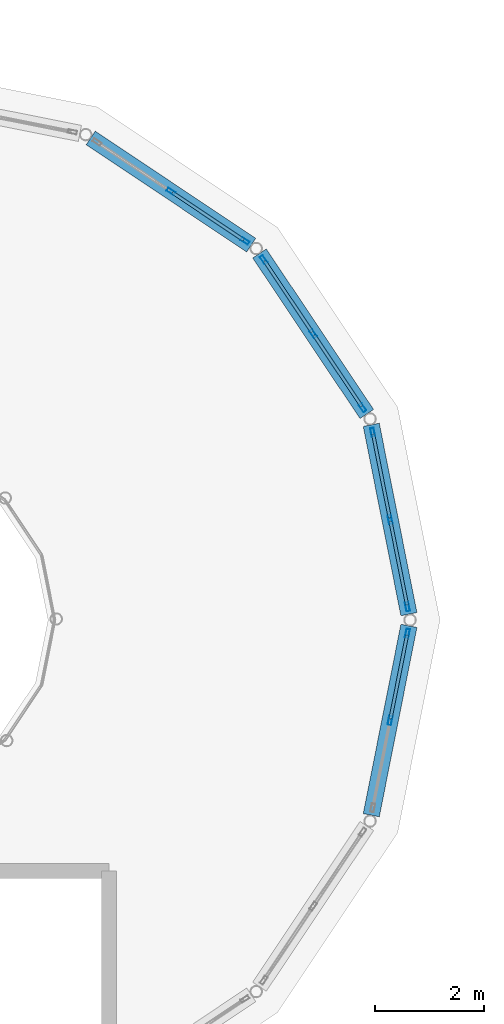
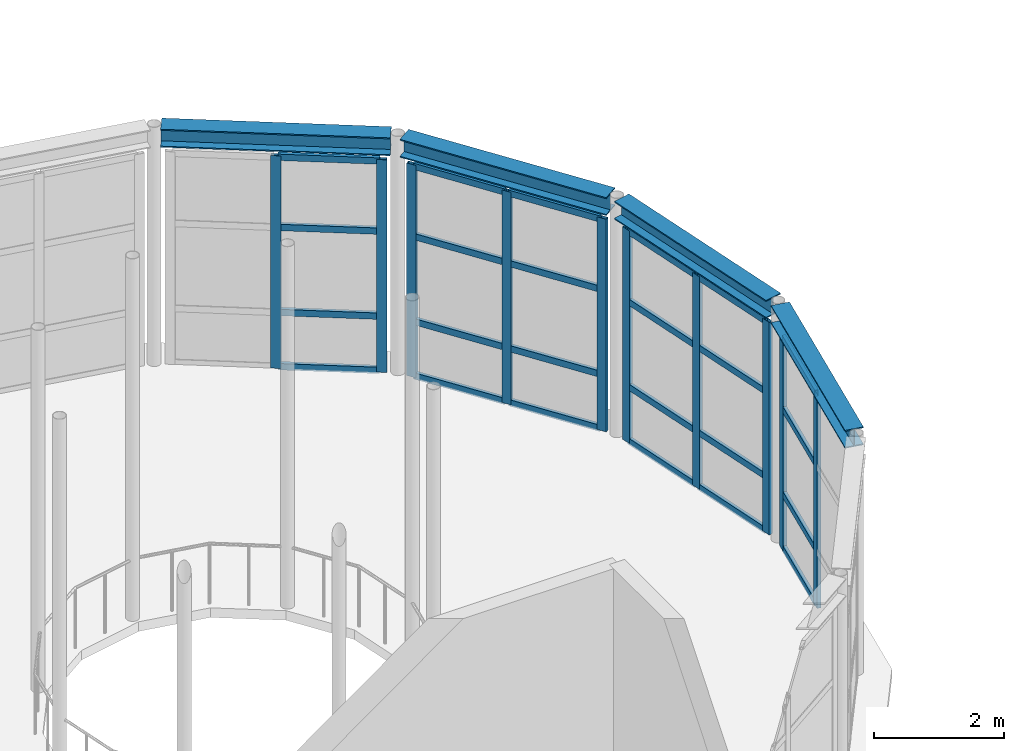
# One storey, part 41 of 80: 34 members, 4 beams, 4 elements without a shape of their own.
"""IFC4 building model written with IfcOpenShell, lengths in metres."""

from ifc_helpers import new_model, si_unit, direction, frame, origin, origin_2d, place, context, subcontext, project, spatial, hollow_rectangle, i_section, extrude, material, layer, layer_set, material_profile, profile_set, type_object, element, aggregate, save


model = new_model("IFC4")

# Units and contexts
model_context = context("Model", 3, precision=1e-05, world=origin(), true_north=direction((0.0, 1.0)))
body_context = subcontext(model_context, "Body", "Model", "MODEL_VIEW")
ifc_project = project(units=[si_unit("LENGTHUNIT", "METRE"), si_unit("AREAUNIT", "SQUARE_METRE"), si_unit("VOLUMEUNIT", "CUBIC_METRE"), si_unit("PLANEANGLEUNIT", "RADIAN"), si_unit("MASSUNIT", "GRAM", prefix="KILO")], contexts=[model_context])

# Site, building, storey
site_placement = place(None, origin())
site = spatial("IfcSite", under=ifc_project, at=site_placement, CompositionType="ELEMENT")
building_placement = place(site_placement, origin())
building = spatial("IfcBuilding", under=site, at=building_placement, Name="Kharisveld Research Institute", CompositionType="ELEMENT")
storey_placement = place(building_placement, frame((0.0, 0.0, 5.10009765625)))
storey = spatial("IfcBuildingStorey", under=building, at=storey_placement, Name="L01", CompositionType="ELEMENT", Elevation=5.10009765625)

# Beams
ifc_material_1 = material(Name="Steel S355JR", Category="steel")
ifc_material_profile_1 = material_profile(ifc_material_1, i_section(OverallWidth=0.300048828125, OverallDepth=0.340087890625, WebThickness=0.011962890625, FlangeThickness=0.021484375, at=origin_2d()))
ifc_profile_set_1 = profile_set([ifc_material_profile_1], Name="Steel S355JR")
beam_type = type_object("IfcBeamType", Name="BM_ST_HEA300", PredefinedType="BEAM", material=ifc_profile_set_1)
for number, where, z_axis, x_axis, name in (
    (1, (69.128662109375, 50.907470703125, 4.329833984375), (-0.195109819798, 0.980781401852, 0.0), (-0.980781401852, -0.195109819798, 0.0), "BM:V6:L01:RING00"),
    (2, (68.3544921875, 54.583984375, 4.329833984375), (-0.555541987483, 0.831488484673, 0.0), (-0.831488484673, -0.555541987483, 0.0), "BM:V6:L01:RING01"),
    (3, (66.232421875, 57.684326171875, 4.329833984375), (-0.831456681365, 0.555589585047, 0.0), (-0.555589585047, -0.831456681365, 0.0), "BM:V6:L01:RING02"),
    (4, (68.436767578125, 47.214599609375, 4.329833984375), (0.195109819798, 0.980781401852, 0.0), (-0.980781401852, 0.195109819798, 0.0), "BM:V6:L01:RING15"),
):
    element("IfcBeam", number, at=place(storey_placement, frame(where, z_axis=z_axis, x_axis=x_axis)), inside=storey, type_object=beam_type, Name=name, PredefinedType="BEAM", context=body_context, shape_type="SweptSolid", body=[
        extrude(i_section(OverallWidth=0.300048828125, OverallDepth=0.340087890625, WebThickness=0.011962890625, FlangeThickness=0.021484375, at=origin_2d()), origin(), (0.0, 0.0, 1.0), 3.546142578125),
    ])

# Curtain wall, members
ifc_material_2 = material(Name="Thermally Broken Aluminium Curtain Wall", Category="aluminium")
ifc_layer_1 = layer(ifc_material_2, 0.159912109375)
ifc_layer_set_1 = layer_set([ifc_layer_1], Name="CW_SYS_01")
curtain_wall_type_1 = type_object("IfcCurtainWallType", Name="CW_SYS_01", PredefinedType="NOTDEFINED", material=ifc_layer_set_1)
curtain_wall_1_placement = place(storey_placement, origin())
curtain_wall_1 = element("IfcCurtainWall", 5, at=curtain_wall_1_placement, inside=storey, type_object=curtain_wall_type_1, Name="CW:V6:L01:CHORD00", PredefinedType="NOTDEFINED")
ifc_material_3 = material(Name="Anodised Aluminium AW-6063-T6", Category="aluminium")
ifc_material_profile_2 = material_profile(ifc_material_3, hollow_rectangle(XDim=0.06494140625, YDim=0.159912109375, WallThickness=0.00390625, at=origin_2d()))
ifc_profile_set_2 = profile_set([ifc_material_profile_2], Name="Anodised Aluminium AW-6063-T6")
member_type_1 = type_object("IfcMemberType", Name="CW_MUL_160", PredefinedType="MULLION", material=ifc_profile_set_2)
member_1_placement = place(storey_placement, frame((68.463623046875, 54.250244140625, 0.0), z_axis=(0.0, 0.0, 1.0), x_axis=(0.980785199106, 0.195090730724, 0.0)))
member_1 = element("IfcMember", 6, at=member_1_placement, type_object=member_type_1, Name="CW-01 mullion 1", PredefinedType="MULLION", context=body_context, shape_type="SweptSolid", body=[
    extrude(hollow_rectangle(XDim=0.06494140625, YDim=0.159912109375, WallThickness=0.00390625, at=origin_2d()), origin(), (0.0, 0.0, 1.0), 4.0),
])
member_2_placement = place(storey_placement, frame((68.78271484375, 52.646484375, 0.0), z_axis=(0.0, 0.0, 1.0), x_axis=(0.980785199106, 0.195090730724, 0.0)))
member_2 = element("IfcMember", 7, at=member_2_placement, type_object=member_type_1, Name="CW-01 mullion 2", PredefinedType="MULLION", context=body_context, shape_type="SweptSolid", body=[
    extrude(hollow_rectangle(XDim=0.06494140625, YDim=0.159912109375, WallThickness=0.00390625, at=origin_2d()), origin(), (0.0, 0.0, 1.0), 4.0),
])
member_3_placement = place(storey_placement, frame((69.101806640625, 51.042724609375, 0.0), z_axis=(0.0, 0.0, 1.0), x_axis=(0.980785199106, 0.195090730724, 0.0)))
member_3 = element("IfcMember", 8, at=member_3_placement, type_object=member_type_1, Name="CW-01 mullion 3", PredefinedType="MULLION", context=body_context, shape_type="SweptSolid", body=[
    extrude(hollow_rectangle(XDim=0.06494140625, YDim=0.159912109375, WallThickness=0.00390625, at=origin_2d()), origin(), (0.0, 0.0, 1.0), 4.0),
])

ifc_material_4 = material(Name="Thermally Broken Aluminium Curtain Wall", Category="aluminium")
ifc_layer_2 = layer(ifc_material_4, 0.159912109375)
ifc_layer_set_2 = layer_set([ifc_layer_2], Name="CW_SYS_02")
curtain_wall_type_2 = type_object("IfcCurtainWallType", Name="CW_SYS_02", PredefinedType="NOTDEFINED", material=ifc_layer_set_2)
curtain_wall_2_placement = place(storey_placement, origin())
curtain_wall_2 = element("IfcCurtainWall", 9, at=curtain_wall_2_placement, inside=storey, type_object=curtain_wall_type_2, Name="CW:V6:L01:CHORD01", PredefinedType="NOTDEFINED")
member_4_placement = place(storey_placement, frame((66.461181640625, 57.417724609375, 0.0), z_axis=(0.0, 0.0, 1.0), x_axis=(0.831469694616, 0.555570109828, 0.0)))
member_4 = element("IfcMember", 10, at=member_4_placement, type_object=member_type_1, Name="CW-02 mullion 1", PredefinedType="MULLION", context=body_context, shape_type="SweptSolid", body=[
    extrude(hollow_rectangle(XDim=0.06494140625, YDim=0.159912109375, WallThickness=0.00390625, at=origin_2d()), origin(), (0.0, 0.0, 1.0), 4.0),
])
member_5_placement = place(storey_placement, frame((67.36962890625, 56.058349609375, 0.0), z_axis=(0.0, 0.0, 1.0), x_axis=(0.831469694616, 0.555570109828, 0.0)))
member_5 = element("IfcMember", 11, at=member_5_placement, type_object=member_type_1, Name="CW-02 mullion 2", PredefinedType="MULLION", context=body_context, shape_type="SweptSolid", body=[
    extrude(hollow_rectangle(XDim=0.06494140625, YDim=0.159912109375, WallThickness=0.00390625, at=origin_2d()), origin(), (0.0, 0.0, 1.0), 4.0),
])
member_6_placement = place(storey_placement, frame((68.27783203125, 54.69873046875, 0.0), z_axis=(0.0, 0.0, 1.0), x_axis=(0.831469694616, 0.555570109828, 0.0)))
member_6 = element("IfcMember", 12, at=member_6_placement, type_object=member_type_1, Name="CW-02 mullion 3", PredefinedType="MULLION", context=body_context, shape_type="SweptSolid", body=[
    extrude(hollow_rectangle(XDim=0.06494140625, YDim=0.159912109375, WallThickness=0.00390625, at=origin_2d()), origin(), (0.0, 0.0, 1.0), 4.0),
])

ifc_material_5 = material(Name="Thermally Broken Aluminium Curtain Wall", Category="aluminium")
ifc_layer_3 = layer(ifc_material_5, 0.159912109375)
ifc_layer_set_3 = layer_set([ifc_layer_3], Name="CW_SYS_03")
curtain_wall_type_3 = type_object("IfcCurtainWallType", Name="CW_SYS_03", PredefinedType="NOTDEFINED", material=ifc_layer_set_3)
curtain_wall_3_placement = place(storey_placement, origin())
curtain_wall_3 = element("IfcCurtainWall", 13, at=curtain_wall_3_placement, inside=storey, type_object=curtain_wall_type_3, Name="CW:V6:L01:CHORD02", PredefinedType="NOTDEFINED")
member_7_placement = place(storey_placement, frame((64.75830078125, 58.66943359375, 0.0), z_axis=(0.0, 0.0, 1.0), x_axis=(0.555570109828, 0.831469694616, 0.0)))
member_7 = element("IfcMember", 14, at=member_7_placement, type_object=member_type_1, Name="CW-03 mullion 2", PredefinedType="MULLION", context=body_context, shape_type="SweptSolid", body=[
    extrude(hollow_rectangle(XDim=0.06494140625, YDim=0.159912109375, WallThickness=0.00390625, at=origin_2d()), origin(), (0.0, 0.0, 1.0), 4.0),
])
member_8_placement = place(storey_placement, frame((66.11767578125, 57.760986328125, 0.0), z_axis=(0.0, 0.0, 1.0), x_axis=(0.555570109828, 0.831469694616, 0.0)))
member_8 = element("IfcMember", 15, at=member_8_placement, type_object=member_type_1, Name="CW-03 mullion 3", PredefinedType="MULLION", context=body_context, shape_type="SweptSolid", body=[
    extrude(hollow_rectangle(XDim=0.06494140625, YDim=0.159912109375, WallThickness=0.00390625, at=origin_2d()), origin(), (0.0, 0.0, 1.0), 4.0),
])

ifc_material_6 = material(Name="Thermally Broken Aluminium Curtain Wall", Category="aluminium")
ifc_layer_4 = layer(ifc_material_6, 0.159912109375)
ifc_layer_set_4 = layer_set([ifc_layer_4], Name="CW_SYS_04")
curtain_wall_type_4 = type_object("IfcCurtainWallType", Name="CW_SYS_04", PredefinedType="NOTDEFINED", material=ifc_layer_set_4)
curtain_wall_4_placement = place(storey_placement, origin())
curtain_wall_4 = element("IfcCurtainWall", 16, at=curtain_wall_4_placement, inside=storey, type_object=curtain_wall_type_4, Name="CW:V6:L01:CHORD15", PredefinedType="NOTDEFINED")
member_9_placement = place(storey_placement, frame((69.101806640625, 50.557373046875, 0.0), z_axis=(0.0, 0.0, 1.0), x_axis=(0.980785199106, -0.195090730724, 0.0)))
member_9 = element("IfcMember", 17, at=member_9_placement, type_object=member_type_1, Name="CW-04 mullion 1", PredefinedType="MULLION", context=body_context, shape_type="SweptSolid", body=[
    extrude(hollow_rectangle(XDim=0.06494140625, YDim=0.159912109375, WallThickness=0.00390625, at=origin_2d()), origin(), (0.0, 0.0, 1.0), 4.0),
])
member_10_placement = place(storey_placement, frame((68.78271484375, 48.95361328125, 0.0), z_axis=(0.0, 0.0, 1.0), x_axis=(0.980785199106, -0.195090730724, 0.0)))
member_10 = element("IfcMember", 18, at=member_10_placement, type_object=member_type_1, Name="CW-04 mullion 2", PredefinedType="MULLION", context=body_context, shape_type="SweptSolid", body=[
    extrude(hollow_rectangle(XDim=0.06494140625, YDim=0.159912109375, WallThickness=0.00390625, at=origin_2d()), origin(), (0.0, 0.0, 1.0), 4.0),
])

# Member
ifc_material_7 = material(Name="Anodised Aluminium AW-6063-T6", Category="aluminium")
ifc_material_profile_3 = material_profile(ifc_material_7, hollow_rectangle(XDim=0.06005859375, YDim=0.1201171875, WallThickness=0.00390625, at=origin_2d()))
ifc_profile_set_3 = profile_set([ifc_material_profile_3], Name="Anodised Aluminium AW-6063-T6")
member_type_2 = type_object("IfcMemberType", Name="CW_TRN_120", PredefinedType="USERDEFINED", material=ifc_profile_set_3)
member_11_placement = place(storey_placement, frame((68.469970703125, 54.21826171875, 0.02978515625), z_axis=(0.195129326111, -0.9807775212, 0.0), x_axis=(0.9807775212, 0.195129326111, 0.0)))
member_11 = element("IfcMember", 19, at=member_11_placement, type_object=member_type_2, Name="CW-01 transom 1.1", ObjectType="TRANSOM", PredefinedType="USERDEFINED", context=body_context, shape_type="SweptSolid", body=[
    extrude(hollow_rectangle(XDim=0.06005859375, YDim=0.1201171875, WallThickness=0.00390625, at=origin_2d()), origin(), (0.0, 0.0, 1.0), 1.5703125),
])

member_12_placement = place(storey_placement, frame((68.469970703125, 54.21826171875, 1.0498046875), z_axis=(0.195129326111, -0.9807775212, 0.0), x_axis=(0.9807775212, 0.195129326111, 0.0)))
member_12 = element("IfcMember", 20, at=member_12_placement, type_object=member_type_2, Name="CW-01 transom 1.2", ObjectType="TRANSOM", PredefinedType="USERDEFINED", context=body_context, shape_type="SweptSolid", body=[
    extrude(hollow_rectangle(XDim=0.06005859375, YDim=0.1201171875, WallThickness=0.00390625, at=origin_2d()), origin(), (0.0, 0.0, 1.0), 1.5703125),
])

member_13_placement = place(storey_placement, frame((68.469970703125, 54.21826171875, 2.64990234375), z_axis=(0.195129326111, -0.9807775212, 0.0), x_axis=(0.9807775212, 0.195129326111, 0.0)))
member_13 = element("IfcMember", 21, at=member_13_placement, type_object=member_type_2, Name="CW-01 transom 1.3", ObjectType="TRANSOM", PredefinedType="USERDEFINED", context=body_context, shape_type="SweptSolid", body=[
    extrude(hollow_rectangle(XDim=0.06005859375, YDim=0.1201171875, WallThickness=0.00390625, at=origin_2d()), origin(), (0.0, 0.0, 1.0), 1.5703125),
])

member_14_placement = place(storey_placement, frame((68.469970703125, 54.21826171875, 3.969970703125), z_axis=(0.195129326111, -0.9807775212, 0.0), x_axis=(0.9807775212, 0.195129326111, 0.0)))
member_14 = element("IfcMember", 22, at=member_14_placement, type_object=member_type_2, Name="CW-01 transom 1.4", ObjectType="TRANSOM", PredefinedType="USERDEFINED", context=body_context, shape_type="SweptSolid", body=[
    extrude(hollow_rectangle(XDim=0.06005859375, YDim=0.1201171875, WallThickness=0.00390625, at=origin_2d()), origin(), (0.0, 0.0, 1.0), 1.5703125),
])

member_15_placement = place(storey_placement, frame((68.7890625, 52.614501953125, 0.02978515625), z_axis=(0.195159086375, -0.980771599816, 0.0), x_axis=(0.980771599816, 0.195159086375, 0.0)))
member_15 = element("IfcMember", 23, at=member_15_placement, type_object=member_type_2, Name="CW-01 transom 2.1", ObjectType="TRANSOM", PredefinedType="USERDEFINED", context=body_context, shape_type="SweptSolid", body=[
    extrude(hollow_rectangle(XDim=0.06005859375, YDim=0.1201171875, WallThickness=0.00390625, at=origin_2d()), origin(), (0.0, 0.0, 1.0), 1.570068359375),
])

member_16_placement = place(storey_placement, frame((68.7890625, 52.614501953125, 1.0498046875), z_axis=(0.195159086375, -0.980771599816, 0.0), x_axis=(0.980771599816, 0.195159086375, 0.0)))
member_16 = element("IfcMember", 24, at=member_16_placement, type_object=member_type_2, Name="CW-01 transom 2.2", ObjectType="TRANSOM", PredefinedType="USERDEFINED", context=body_context, shape_type="SweptSolid", body=[
    extrude(hollow_rectangle(XDim=0.06005859375, YDim=0.1201171875, WallThickness=0.00390625, at=origin_2d()), origin(), (0.0, 0.0, 1.0), 1.570068359375),
])

member_17_placement = place(storey_placement, frame((68.7890625, 52.614501953125, 2.64990234375), z_axis=(0.195159086375, -0.980771599816, 0.0), x_axis=(0.980771599816, 0.195159086375, 0.0)))
member_17 = element("IfcMember", 25, at=member_17_placement, type_object=member_type_2, Name="CW-01 transom 2.3", ObjectType="TRANSOM", PredefinedType="USERDEFINED", context=body_context, shape_type="SweptSolid", body=[
    extrude(hollow_rectangle(XDim=0.06005859375, YDim=0.1201171875, WallThickness=0.00390625, at=origin_2d()), origin(), (0.0, 0.0, 1.0), 1.570068359375),
])

member_18_placement = place(storey_placement, frame((68.7890625, 52.614501953125, 3.969970703125), z_axis=(0.195159086375, -0.980771599816, 0.0), x_axis=(0.980771599816, 0.195159086375, 0.0)))
member_18 = element("IfcMember", 26, at=member_18_placement, type_object=member_type_2, Name="CW-01 transom 2.4", ObjectType="TRANSOM", PredefinedType="USERDEFINED", context=body_context, shape_type="SweptSolid", body=[
    extrude(hollow_rectangle(XDim=0.06005859375, YDim=0.1201171875, WallThickness=0.00390625, at=origin_2d()), origin(), (0.0, 0.0, 1.0), 1.570068359375),
])

aggregate(curtain_wall_1, [member_1, member_2, member_3, member_11, member_12, member_13, member_14, member_15, member_16, member_17, member_18])

member_19_placement = place(storey_placement, frame((66.479248046875, 57.390869140625, 0.02978515625), z_axis=(0.555525156147, -0.831499729939, 0.0), x_axis=(0.831499729939, 0.555525156147, 0.0)))
member_19 = element("IfcMember", 27, at=member_19_placement, type_object=member_type_2, Name="CW-02 transom 1.1", ObjectType="TRANSOM", PredefinedType="USERDEFINED", context=body_context, shape_type="SweptSolid", body=[
    extrude(hollow_rectangle(XDim=0.06005859375, YDim=0.1201171875, WallThickness=0.00390625, at=origin_2d()), origin(), (0.0, 0.0, 1.0), 1.5703125),
])

member_20_placement = place(storey_placement, frame((66.479248046875, 57.390869140625, 1.0498046875), z_axis=(0.555525156147, -0.831499729939, 0.0), x_axis=(0.831499729939, 0.555525156147, 0.0)))
member_20 = element("IfcMember", 28, at=member_20_placement, type_object=member_type_2, Name="CW-02 transom 1.2", ObjectType="TRANSOM", PredefinedType="USERDEFINED", context=body_context, shape_type="SweptSolid", body=[
    extrude(hollow_rectangle(XDim=0.06005859375, YDim=0.1201171875, WallThickness=0.00390625, at=origin_2d()), origin(), (0.0, 0.0, 1.0), 1.5703125),
])

member_21_placement = place(storey_placement, frame((66.479248046875, 57.390869140625, 2.64990234375), z_axis=(0.555525156147, -0.831499729939, 0.0), x_axis=(0.831499729939, 0.555525156147, 0.0)))
member_21 = element("IfcMember", 29, at=member_21_placement, type_object=member_type_2, Name="CW-02 transom 1.3", ObjectType="TRANSOM", PredefinedType="USERDEFINED", context=body_context, shape_type="SweptSolid", body=[
    extrude(hollow_rectangle(XDim=0.06005859375, YDim=0.1201171875, WallThickness=0.00390625, at=origin_2d()), origin(), (0.0, 0.0, 1.0), 1.5703125),
])

member_22_placement = place(storey_placement, frame((66.479248046875, 57.390869140625, 3.969970703125), z_axis=(0.555525156147, -0.831499729939, 0.0), x_axis=(0.831499729939, 0.555525156147, 0.0)))
member_22 = element("IfcMember", 30, at=member_22_placement, type_object=member_type_2, Name="CW-02 transom 1.4", ObjectType="TRANSOM", PredefinedType="USERDEFINED", context=body_context, shape_type="SweptSolid", body=[
    extrude(hollow_rectangle(XDim=0.06005859375, YDim=0.1201171875, WallThickness=0.00390625, at=origin_2d()), origin(), (0.0, 0.0, 1.0), 1.5703125),
])

member_23_placement = place(storey_placement, frame((67.387451171875, 56.03125, 0.02978515625), z_axis=(0.555525156147, -0.831499729939, 0.0), x_axis=(0.831499729939, 0.555525156147, 0.0)))
member_23 = element("IfcMember", 31, at=member_23_placement, type_object=member_type_2, Name="CW-02 transom 2.1", ObjectType="TRANSOM", PredefinedType="USERDEFINED", context=body_context, shape_type="SweptSolid", body=[
    extrude(hollow_rectangle(XDim=0.06005859375, YDim=0.1201171875, WallThickness=0.00390625, at=origin_2d()), origin(), (0.0, 0.0, 1.0), 1.5703125),
])

member_24_placement = place(storey_placement, frame((67.387451171875, 56.03125, 1.0498046875), z_axis=(0.555525156147, -0.831499729939, 0.0), x_axis=(0.831499729939, 0.555525156147, 0.0)))
member_24 = element("IfcMember", 32, at=member_24_placement, type_object=member_type_2, Name="CW-02 transom 2.2", ObjectType="TRANSOM", PredefinedType="USERDEFINED", context=body_context, shape_type="SweptSolid", body=[
    extrude(hollow_rectangle(XDim=0.06005859375, YDim=0.1201171875, WallThickness=0.00390625, at=origin_2d()), origin(), (0.0, 0.0, 1.0), 1.5703125),
])

member_25_placement = place(storey_placement, frame((67.387451171875, 56.03125, 2.64990234375), z_axis=(0.555525156147, -0.831499729939, 0.0), x_axis=(0.831499729939, 0.555525156147, 0.0)))
member_25 = element("IfcMember", 33, at=member_25_placement, type_object=member_type_2, Name="CW-02 transom 2.3", ObjectType="TRANSOM", PredefinedType="USERDEFINED", context=body_context, shape_type="SweptSolid", body=[
    extrude(hollow_rectangle(XDim=0.06005859375, YDim=0.1201171875, WallThickness=0.00390625, at=origin_2d()), origin(), (0.0, 0.0, 1.0), 1.5703125),
])

member_26_placement = place(storey_placement, frame((67.387451171875, 56.03125, 3.969970703125), z_axis=(0.555525156147, -0.831499729939, 0.0), x_axis=(0.831499729939, 0.555525156147, 0.0)))
member_26 = element("IfcMember", 34, at=member_26_placement, type_object=member_type_2, Name="CW-02 transom 2.4", ObjectType="TRANSOM", PredefinedType="USERDEFINED", context=body_context, shape_type="SweptSolid", body=[
    extrude(hollow_rectangle(XDim=0.06005859375, YDim=0.1201171875, WallThickness=0.00390625, at=origin_2d()), origin(), (0.0, 0.0, 1.0), 1.5703125),
])

aggregate(curtain_wall_2, [member_4, member_5, member_6, member_19, member_20, member_21, member_22, member_23, member_24, member_25, member_26])

member_27_placement = place(storey_placement, frame((64.78515625, 58.6513671875, 0.02978515625), z_axis=(0.831499729939, -0.555525156147, 0.0), x_axis=(0.555525156147, 0.831499729939, 0.0)))
member_27 = element("IfcMember", 35, at=member_27_placement, type_object=member_type_2, Name="CW-03 transom 2.1", ObjectType="TRANSOM", PredefinedType="USERDEFINED", context=body_context, shape_type="SweptSolid", body=[
    extrude(hollow_rectangle(XDim=0.06005859375, YDim=0.1201171875, WallThickness=0.00390625, at=origin_2d()), origin(), (0.0, 0.0, 1.0), 1.5703125),
])

member_28_placement = place(storey_placement, frame((64.78515625, 58.6513671875, 1.0498046875), z_axis=(0.831499729939, -0.555525156147, 0.0), x_axis=(0.555525156147, 0.831499729939, 0.0)))
member_28 = element("IfcMember", 36, at=member_28_placement, type_object=member_type_2, Name="CW-03 transom 2.2", ObjectType="TRANSOM", PredefinedType="USERDEFINED", context=body_context, shape_type="SweptSolid", body=[
    extrude(hollow_rectangle(XDim=0.06005859375, YDim=0.1201171875, WallThickness=0.00390625, at=origin_2d()), origin(), (0.0, 0.0, 1.0), 1.5703125),
])

member_29_placement = place(storey_placement, frame((64.78515625, 58.6513671875, 2.64990234375), z_axis=(0.831499729939, -0.555525156147, 0.0), x_axis=(0.555525156147, 0.831499729939, 0.0)))
member_29 = element("IfcMember", 37, at=member_29_placement, type_object=member_type_2, Name="CW-03 transom 2.3", ObjectType="TRANSOM", PredefinedType="USERDEFINED", context=body_context, shape_type="SweptSolid", body=[
    extrude(hollow_rectangle(XDim=0.06005859375, YDim=0.1201171875, WallThickness=0.00390625, at=origin_2d()), origin(), (0.0, 0.0, 1.0), 1.5703125),
])

member_30_placement = place(storey_placement, frame((64.78515625, 58.6513671875, 3.969970703125), z_axis=(0.831499729939, -0.555525156147, 0.0), x_axis=(0.555525156147, 0.831499729939, 0.0)))
member_30 = element("IfcMember", 38, at=member_30_placement, type_object=member_type_2, Name="CW-03 transom 2.4", ObjectType="TRANSOM", PredefinedType="USERDEFINED", context=body_context, shape_type="SweptSolid", body=[
    extrude(hollow_rectangle(XDim=0.06005859375, YDim=0.1201171875, WallThickness=0.00390625, at=origin_2d()), origin(), (0.0, 0.0, 1.0), 1.5703125),
])

aggregate(curtain_wall_3, [member_7, member_8, member_27, member_28, member_29, member_30])

member_31_placement = place(storey_placement, frame((69.095458984375, 50.525390625, 0.02978515625), z_axis=(-0.195129326111, -0.9807775212, 0.0), x_axis=(0.9807775212, -0.195129326111, 0.0)))
member_31 = element("IfcMember", 39, at=member_31_placement, type_object=member_type_2, Name="CW-04 transom 1.1", ObjectType="TRANSOM", PredefinedType="USERDEFINED", context=body_context, shape_type="SweptSolid", body=[
    extrude(hollow_rectangle(XDim=0.06005859375, YDim=0.1201171875, WallThickness=0.00390625, at=origin_2d()), origin(), (0.0, 0.0, 1.0), 1.5703125),
])

member_32_placement = place(storey_placement, frame((69.095458984375, 50.525390625, 1.0498046875), z_axis=(-0.195129326111, -0.9807775212, 0.0), x_axis=(0.9807775212, -0.195129326111, 0.0)))
member_32 = element("IfcMember", 40, at=member_32_placement, type_object=member_type_2, Name="CW-04 transom 1.2", ObjectType="TRANSOM", PredefinedType="USERDEFINED", context=body_context, shape_type="SweptSolid", body=[
    extrude(hollow_rectangle(XDim=0.06005859375, YDim=0.1201171875, WallThickness=0.00390625, at=origin_2d()), origin(), (0.0, 0.0, 1.0), 1.5703125),
])

member_33_placement = place(storey_placement, frame((69.095458984375, 50.525390625, 2.64990234375), z_axis=(-0.195129326111, -0.9807775212, 0.0), x_axis=(0.9807775212, -0.195129326111, 0.0)))
member_33 = element("IfcMember", 41, at=member_33_placement, type_object=member_type_2, Name="CW-04 transom 1.3", ObjectType="TRANSOM", PredefinedType="USERDEFINED", context=body_context, shape_type="SweptSolid", body=[
    extrude(hollow_rectangle(XDim=0.06005859375, YDim=0.1201171875, WallThickness=0.00390625, at=origin_2d()), origin(), (0.0, 0.0, 1.0), 1.5703125),
])

member_34_placement = place(storey_placement, frame((69.095458984375, 50.525390625, 3.969970703125), z_axis=(-0.195129326111, -0.9807775212, 0.0), x_axis=(0.9807775212, -0.195129326111, 0.0)))
member_34 = element("IfcMember", 42, at=member_34_placement, type_object=member_type_2, Name="CW-04 transom 1.4", ObjectType="TRANSOM", PredefinedType="USERDEFINED", context=body_context, shape_type="SweptSolid", body=[
    extrude(hollow_rectangle(XDim=0.06005859375, YDim=0.1201171875, WallThickness=0.00390625, at=origin_2d()), origin(), (0.0, 0.0, 1.0), 1.5703125),
])

aggregate(curtain_wall_4, [member_9, member_10, member_31, member_32, member_33, member_34])

save(model, "model.ifc")
